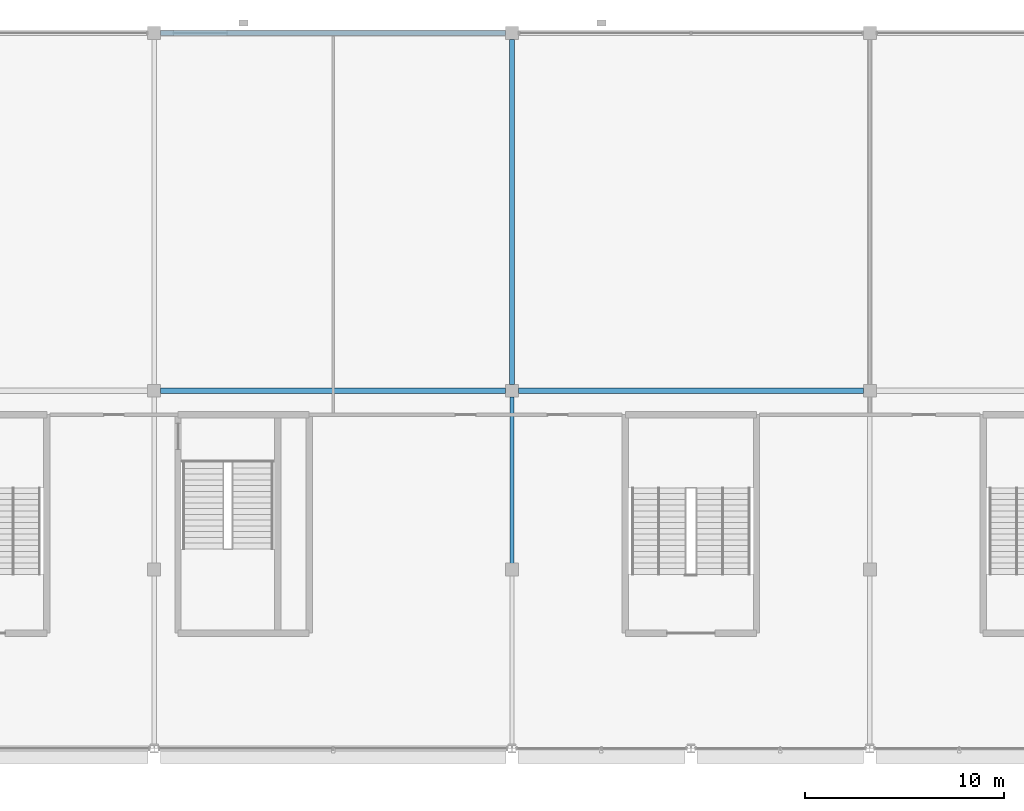
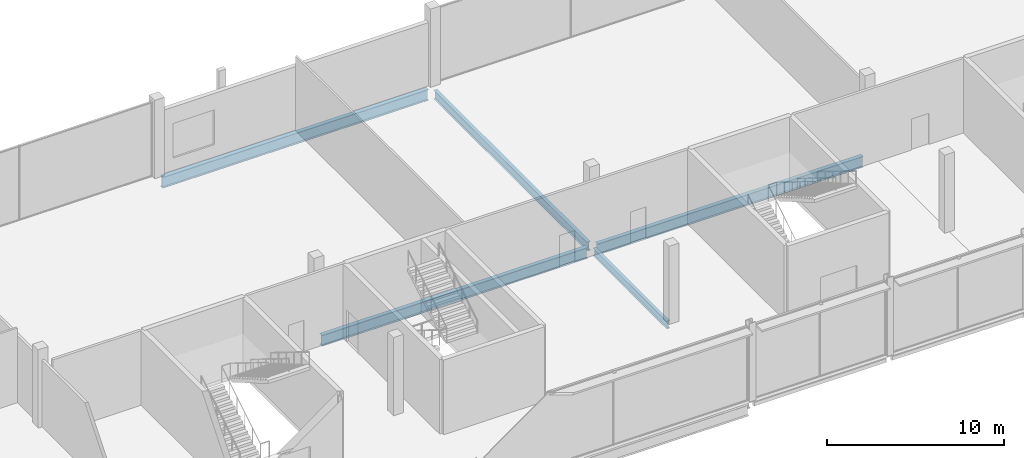
# One storey, part 36 of 111: 5 beams.
"""IFC4 building model written with IfcOpenShell, lengths in metres."""

from ifc_helpers import new_model, si_unit, direction, frame, origin, origin_2d, place, context, subcontext, project, spatial, i_section, extrude, material, material_profile, profile_set, type_object, element, save


model = new_model("IFC4")

# Units and contexts
model_context = context("Model", 3, precision=1e-05, world=origin(), true_north=direction((0.0, 1.0)))
body_context = subcontext(model_context, "Body", "Model", "MODEL_VIEW")
ifc_project = project(units=[si_unit("LENGTHUNIT", "METRE"), si_unit("AREAUNIT", "SQUARE_METRE"), si_unit("VOLUMEUNIT", "CUBIC_METRE"), si_unit("PLANEANGLEUNIT", "RADIAN"), si_unit("MASSUNIT", "GRAM", prefix="KILO")], contexts=[model_context])

# Site, building, storey
site_placement = place(None, origin())
site = spatial("IfcSite", under=ifc_project, at=site_placement, CompositionType="ELEMENT")
building_placement = place(site_placement, origin())
building = spatial("IfcBuilding", under=site, at=building_placement, Name="Kisiwana Market Hall", CompositionType="ELEMENT")
storey_placement = place(building_placement, frame((0.0, 0.0, 11.39990234375)))
storey = spatial("IfcBuildingStorey", under=building, at=storey_placement, Name="L02", CompositionType="ELEMENT", Elevation=11.39990234375)

# Beams
ifc_material_1 = material(Name="Steel S355", Category="steel")
ifc_material_profile_1 = material_profile(ifc_material_1, i_section(OverallWidth=0.209228515625, OverallDepth=0.533203125, WebThickness=0.010009765625, FlangeThickness=0.015625, at=origin_2d()), Name="UB 533x210x92")
ifc_profile_set_1 = profile_set([ifc_material_profile_1], Name="Steel S355")
beam_type_1 = type_object("IfcBeamType", Name="BM-GIRD-UB533", PredefinedType="BEAM", material=ifc_profile_set_1)
beam_1_placement = place(storey_placement, frame((81.0, 93.321044921875, -0.516357421875), z_axis=(0.0, 1.0, 0.0), x_axis=(-1.0, 0.0, 0.0)))
element("IfcBeam", 1, at=beam_1_placement, inside=storey, type_object=beam_type_1, Name="Primary girder B-0641", PredefinedType="BEAM", context=body_context, shape_type="SweptSolid", body=[
    extrude(i_section(OverallWidth=0.209228515625, OverallDepth=0.533203125, WebThickness=0.010009765625, FlangeThickness=0.015625, at=origin_2d()), origin(), (0.0, 0.0, 1.0), 8.35791015625),
])
ifc_material_2 = material(Name="Steel S355", Category="steel")
ifc_material_profile_2 = material_profile(ifc_material_2, i_section(OverallWidth=0.22900390625, OverallDepth=0.6123046875, WebThickness=0.011962890625, FlangeThickness=0.01953125, at=origin_2d()), Name="UB 610x229x125")
ifc_profile_set_2 = profile_set([ifc_material_profile_2], Name="Steel S355")
beam_type_2 = type_object("IfcBeamType", Name="BM-GIRD-UB610H", PredefinedType="BEAM", material=ifc_profile_set_2)
beam_2_placement = place(storey_placement, frame((81.0, 102.321044921875, -0.555908203125), z_axis=(0.0, 1.0, 0.0), x_axis=(-1.0, 0.0, 0.0)))
element("IfcBeam", 2, at=beam_2_placement, inside=storey, type_object=beam_type_2, Name="Primary girder B-0642", PredefinedType="BEAM", context=body_context, shape_type="SweptSolid", body=[
    extrude(i_section(OverallWidth=0.22900390625, OverallDepth=0.6123046875, WebThickness=0.011962890625, FlangeThickness=0.01953125, at=origin_2d()), origin(), (0.0, 0.0, 1.0), 17.35791015625),
])
ifc_material_3 = material(Name="Steel S355", Category="steel")
ifc_material_profile_3 = material_profile(ifc_material_3, i_section(OverallWidth=0.2666015625, OverallDepth=0.76220703125, WebThickness=0.014404296875, FlangeThickness=0.021484375, at=origin_2d()), Name="UB 762x267x173")
ifc_profile_set_3 = profile_set([ifc_material_profile_3], Name="Steel S355")
beam_type_3 = type_object("IfcBeamType", Name="BM-GIRD-UB762", PredefinedType="BEAM", material=ifc_profile_set_3)
for number, where, z_axis, x_axis, name in (
    (3, (63.321044921875, 102.0, -0.631103515625), (1.0, 0.0, 0.0), (0.0, 1.0, 0.0), "Floor beam B-0794"),
    (4, (81.321044921875, 102.0, -0.631103515625), (1.0, 0.0, 0.0), (0.0, 1.0, 0.0), "Floor beam B-0795"),
    (5, (63.321044921875, 120.0, -0.631103515625), (1.0, 0.0, 0.0), (0.0, 1.0, 0.0), "Floor beam B-0816"),
):
    element("IfcBeam", number, at=place(storey_placement, frame(where, z_axis=z_axis, x_axis=x_axis)), inside=storey, type_object=beam_type_3, Name=name, PredefinedType="BEAM", context=body_context, shape_type="SweptSolid", body=[
        extrude(i_section(OverallWidth=0.2666015625, OverallDepth=0.76220703125, WebThickness=0.014404296875, FlangeThickness=0.021484375, at=origin_2d()), origin(), (0.0, 0.0, 1.0), 17.35791015625),
    ])

save(model, "model.ifc")
